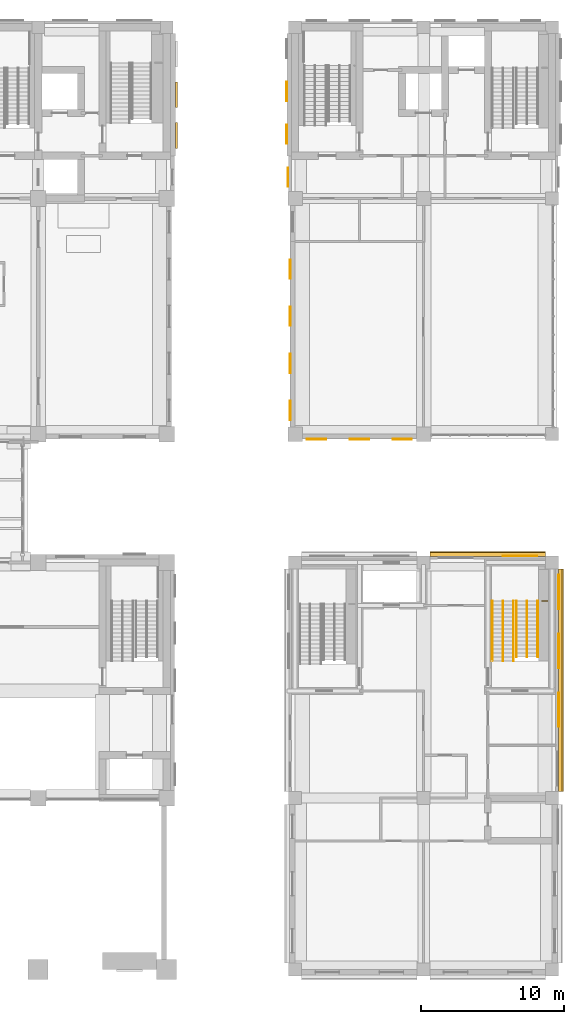
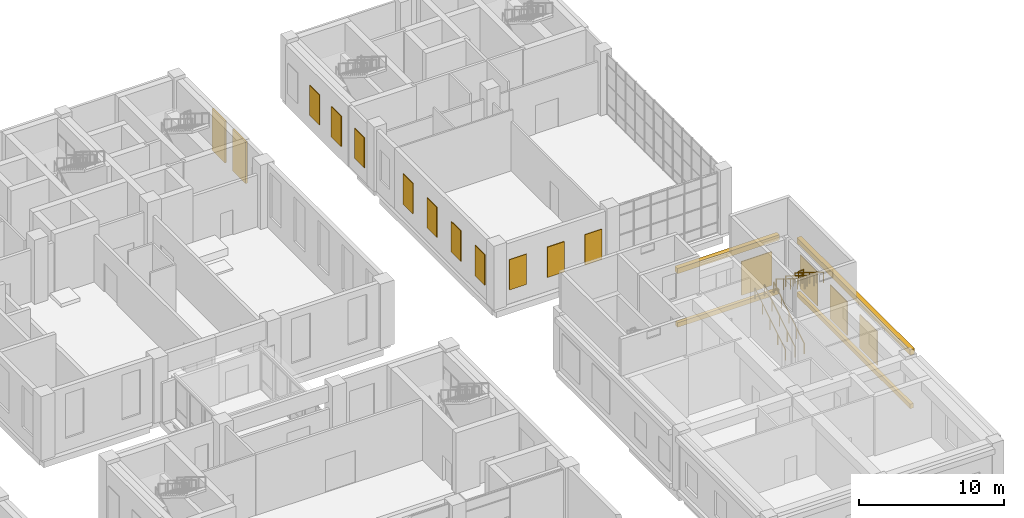
# One storey, part 49 of 52: 20 coverings, 7 railings.
"""IFC4 building model written with IfcOpenShell, lengths in metres."""

from ifc_helpers import new_model, si_unit, direction, frame, origin, origin_2d, place, context, subcontext, project, spatial, rectangle, circle, extrude, material, layer, layer_set, type_object, element, save


model = new_model("IFC4")

# Units and contexts
model_context = context("Model", 3, precision=1e-05, world=origin(), true_north=direction((0.0, 1.0)))
body_context = subcontext(model_context, "Body", "Model", "MODEL_VIEW")
ifc_project = project(units=[si_unit("LENGTHUNIT", "METRE"), si_unit("AREAUNIT", "SQUARE_METRE"), si_unit("VOLUMEUNIT", "CUBIC_METRE"), si_unit("PLANEANGLEUNIT", "RADIAN"), si_unit("MASSUNIT", "GRAM", prefix="KILO")], contexts=[model_context])

# Site, building, storey
site_placement = place(None, origin())
site = spatial("IfcSite", under=ifc_project, at=site_placement, CompositionType="ELEMENT")
building_placement = place(site_placement, origin())
building = spatial("IfcBuilding", under=site, at=building_placement, Name="Aurelan Courthouse", CompositionType="ELEMENT")
storey_placement = place(building_placement, frame((0.0, 0.0, 6.60009765625)))
storey = spatial("IfcBuildingStorey", under=building, at=storey_placement, Name="L01", CompositionType="ELEMENT", Elevation=6.60009765625)

# Coverings
ifc_material_1 = material(Name="Bronze sheet cladding")
ifc_layer_1 = layer(ifc_material_1, 0.06005859375)
ifc_layer_set_1 = layer_set([ifc_layer_1], Name="Bronze sheet cladding")
covering_type_1 = type_object("IfcCoveringType", Name="Law Library blind bay 1350 x 2550", PredefinedType="CLADDING", material=ifc_layer_set_1)
for number, where, z_axis, x_axis, name in (
    (1, (73.5, 37.14990234375, 1.19970703125), (0.0, 0.0, 1.0), (1.0, 0.0, 0.0), "Blind bay BB-V3-L01-001"),
    (2, (76.5, 37.14990234375, 1.19970703125), (0.0, 0.0, 1.0), (1.0, 0.0, 0.0), "Blind bay BB-V3-L01-002"),
    (3, (79.5, 37.14990234375, 1.19970703125), (0.0, 0.0, 1.0), (1.0, 0.0, 0.0), "Blind bay BB-V3-L01-003"),
):
    element("IfcCovering", number, at=place(storey_placement, frame(where, z_axis=z_axis, x_axis=x_axis)), inside=storey, type_object=covering_type_1, Name=name, PredefinedType="CLADDING", context=body_context, shape_type="SweptSolid", body=[
        extrude(rectangle(XDim=1.35009765625, YDim=0.06005859375, at=origin_2d()), origin(), (0.0, 0.0, 1.0), 2.550048828125),
    ])
for number, where, z_axis, x_axis, name in (
    (4, (71.64990234375, 39.14990234375, 1.19970703125), (0.0, 0.0, 1.0), (1.0, 0.0, 0.0), "Blind bay BB-V3-L01-014"),
    (5, (71.64990234375, 42.449951171875, 1.19970703125), (0.0, 0.0, 1.0), (1.0, 0.0, 0.0), "Blind bay BB-V3-L01-015"),
    (6, (71.64990234375, 45.75, 1.19970703125), (0.0, 0.0, 1.0), (1.0, 0.0, 0.0), "Blind bay BB-V3-L01-016"),
    (7, (71.64990234375, 49.050048828125, 1.19970703125), (0.0, 0.0, 1.0), (1.0, 0.0, 0.0), "Blind bay BB-V3-L01-017"),
    (8, (71.5, 55.5, 1.19970703125), (0.0, 0.0, 1.0), (1.0, 0.0, 0.0), "Blind bay BB-V3-L01-018"),
    (9, (71.39990234375, 58.5, 1.19970703125), (0.0, 0.0, 1.0), (1.0, 0.0, 0.0), "Blind bay BB-V3-L01-019"),
    (10, (71.39990234375, 61.5, 1.19970703125), (0.0, 0.0, 1.0), (1.0, 0.0, 0.0), "Blind bay BB-V3-L01-020"),
):
    element("IfcCovering", number, at=place(storey_placement, frame(where, z_axis=z_axis, x_axis=x_axis)), inside=storey, type_object=covering_type_1, Name=name, PredefinedType="CLADDING", context=body_context, shape_type="SweptSolid", body=[
        extrude(rectangle(XDim=0.06005859375, YDim=1.35009765625, at=origin_2d()), origin(), (0.0, 0.0, 1.0), 2.550048828125),
    ])
ifc_layer_2 = layer(ifc_material_1, 0.06005859375)
ifc_layer_set_2 = layer_set([ifc_layer_2], Name="Bronze sheet cladding")
covering_type_2 = type_object("IfcCoveringType", Name="Public Hall and Registry blind bay 2400 x 2850", PredefinedType="CLADDING", material=ifc_layer_set_2)
covering_1_placement = place(storey_placement, frame((87.75, 28.9599609375, 0.89990234375), z_axis=(0.0, 0.0, 1.0), x_axis=(1.0, 0.0, 0.0)))
element("IfcCovering", 11, at=covering_1_placement, inside=storey, type_object=covering_type_2, Name="Blind bay BB-V4-L01-003", PredefinedType="CLADDING", context=body_context, shape_type="SweptSolid", body=[
    extrude(rectangle(XDim=2.39990234375, YDim=0.06005859375, at=origin_2d()), origin(), (0.0, 0.0, 1.0), 2.85009765625),
])
for number, where, z_axis, x_axis, name in (
    (12, (90.4599609375, 18.1875, 0.89990234375), (0.0, 0.0, 1.0), (1.0, 0.0, 0.0), "Blind bay BB-V4-L01-005"),
    (13, (90.4599609375, 22.3125, 0.89990234375), (0.0, 0.0, 1.0), (1.0, 0.0, 0.0), "Blind bay BB-V4-L01-006"),
    (14, (90.4599609375, 26.4375, 0.89990234375), (0.0, 0.0, 1.0), (1.0, 0.0, 0.0), "Blind bay BB-V4-L01-007"),
):
    element("IfcCovering", number, at=place(storey_placement, frame(where, z_axis=z_axis, x_axis=x_axis)), inside=storey, type_object=covering_type_2, Name=name, PredefinedType="CLADDING", context=body_context, shape_type="SweptSolid", body=[
        extrude(rectangle(XDim=0.06005859375, YDim=2.39990234375, at=origin_2d()), origin(), (0.0, 0.0, 1.0), 2.85009765625),
    ])
ifc_material_2 = material(Name="Limestone cladding", Category="masonry")
covering_type_3 = type_object("IfcCoveringType", Name="Public Hall and Registry cornice 450 x 360", PredefinedType="CLADDING", material=ifc_material_2)
covering_2_placement = place(storey_placement, frame((90.610107421875, 20.25, 4.501953125), z_axis=(0.0, 0.0, 1.0), x_axis=(1.0, 0.0, 0.0)))
element("IfcCovering", 15, at=covering_2_placement, inside=storey, type_object=covering_type_3, Name="Cornice CRN-V4-006", PredefinedType="CLADDING", context=body_context, shape_type="SweptSolid", body=[
    extrude(rectangle(XDim=0.360107421875, YDim=15.60009765625, at=origin_2d()), origin(), (0.0, 0.0, 1.0), 0.449951171875),
])
covering_3_placement = place(storey_placement, frame((85.5, 29.110107421875, 4.501953125), z_axis=(0.0, 0.0, 1.0), x_axis=(1.0, 0.0, 0.0)))
element("IfcCovering", 16, at=covering_3_placement, inside=storey, type_object=covering_type_3, Name="Cornice CRN-V4-008", PredefinedType="CLADDING", context=body_context, shape_type="SweptSolid", body=[
    extrude(rectangle(XDim=8.10009765625, YDim=0.360107421875, at=origin_2d()), origin(), (0.0, 0.0, 1.0), 0.449951171875),
])
covering_type_4 = type_object("IfcCoveringType", Name="Public Hall and Registry string course 380 x 260", PredefinedType="CLADDING", material=ifc_material_2)
covering_4_placement = place(storey_placement, frame((90.56005859375, 20.25, 0.0), z_axis=(0.0, 0.0, 1.0), x_axis=(1.0, 0.0, 0.0)))
element("IfcCovering", 17, at=covering_4_placement, inside=storey, type_object=covering_type_4, Name="String course SC-V4-006", PredefinedType="CLADDING", context=body_context, shape_type="SweptSolid", body=[
    extrude(rectangle(XDim=0.260009765625, YDim=15.60009765625, at=origin_2d()), origin(), (0.0, 0.0, 1.0), 0.3798828125),
])
covering_5_placement = place(storey_placement, frame((85.5, 29.06005859375, 0.0), z_axis=(0.0, 0.0, 1.0), x_axis=(1.0, 0.0, 0.0)))
element("IfcCovering", 18, at=covering_5_placement, inside=storey, type_object=covering_type_4, Name="String course SC-V4-008", PredefinedType="CLADDING", context=body_context, shape_type="SweptSolid", body=[
    extrude(rectangle(XDim=8.10009765625, YDim=0.260009765625, at=origin_2d()), origin(), (0.0, 0.0, 1.0), 0.3798828125),
])
ifc_layer_3 = layer(ifc_material_1, 0.14990234375)
ifc_layer_set_3 = layer_set([ifc_layer_3], Name="Bronze sheet cladding")
covering_type_5 = type_object("IfcCoveringType", Name="Relief panel 1800 x 3500 x 150", PredefinedType="CLADDING", material=ifc_layer_set_3)
for number, where, z_axis, x_axis, name in (
    (19, (63.675048828125, 58.425048828125, 1.0), (0.0, 0.0, 1.0), (1.0, 0.0, 0.0), "Relief panel RP-V2-009"),
    (20, (63.675048828125, 61.27490234375, 1.0), (0.0, 0.0, 1.0), (1.0, 0.0, 0.0), "Relief panel RP-V2-010"),
):
    element("IfcCovering", number, at=place(storey_placement, frame(where, z_axis=z_axis, x_axis=x_axis)), inside=storey, type_object=covering_type_5, Name=name, PredefinedType="CLADDING", context=body_context, shape_type="SweptSolid", body=[
        extrude(rectangle(XDim=0.14990234375, YDim=1.800048828125, at=origin_2d()), origin(), (0.0, 0.0, 1.0), 3.5),
    ])

# Railings
ifc_material_3 = material(Name="Steel S355", Category="steel")
railing_type_1 = type_object("IfcRailingType", Name="Stair guard 1100", PredefinedType="GUARDRAIL", material=ifc_material_3)
railing_placement = place(storey_placement, frame((89.669921875, 25.81005859375, 2.787109375)))
element("IfcRailing", 21, at=railing_placement, inside=storey, type_object=railing_type_1, Name="Guard ST-4B-L01-GL1", PredefinedType="GUARDRAIL", context=body_context, shape_type="SweptSolid", body=[
    extrude(circle(Radius=0.02392578125, at=origin_2d()), frame((0.0, 0.0, 1.076171875), z_axis=(-1.0, 0.0, 0.0), x_axis=(0.0, -1.0, 0.0)), (0.0, 0.0, 1.0), 0.389892578125),
    extrude(circle(Radius=0.02099609375, at=origin_2d()), origin(), (0.0, 0.0, 1.0), 1.052001953125),
    extrude(circle(Radius=0.02099609375, at=origin_2d()), frame((-0.389892578125, 0.0, 0.0)), (0.0, 0.0, 1.0), 1.052001953125),
])
railing_type_2 = type_object("IfcRailingType", Name="Stair handrail 900", PredefinedType="HANDRAIL", material=ifc_material_3)
for number, where, name in (
    (22, (85.800048828125, 21.610107421875, 0.174072265625), "Handrail ST-4B-L01-H1"),
    (23, (87.300048828125, 21.610107421875, 0.174072265625), "Handrail ST-4B-L01-H2"),
    (24, (86.550048828125, 21.610107421875, 0.174072265625), "Handrail ST-4B-L01-H3"),
):
    element("IfcRailing", number, at=place(storey_placement, frame(where)), inside=storey, type_object=railing_type_2, Name=name, PredefinedType="HANDRAIL", context=body_context, shape_type="SweptSolid", body=[
        extrude(circle(Radius=0.02392578125, at=origin_2d()), frame((0.0, 0.0, 0.8759765625), z_axis=(0.0, 0.849080710111, 0.528263142494), x_axis=(-1.0, 0.0, 0.0)), (0.0, 0.0, 1.0), 4.946533203125),
        extrude(circle(Radius=0.02099609375, at=origin_2d()), origin(), (0.0, 0.0, 1.0), 0.851806640625),
        extrude(circle(Radius=0.02099609375, at=origin_2d()), frame((0.0, 1.050048828125, 0.6533203125)), (0.0, 0.0, 1.0), 0.851806640625),
        extrude(circle(Radius=0.02099609375, at=origin_2d()), frame((0.0, 2.10009765625, 1.306640625)), (0.0, 0.0, 1.0), 0.851806640625),
        extrude(circle(Radius=0.02099609375, at=origin_2d()), frame((0.0, 3.14990234375, 1.959716796875)), (0.0, 0.0, 1.0), 0.851806640625),
        extrude(circle(Radius=0.02099609375, at=origin_2d()), frame((0.0, 4.199951171875, 2.613037109375)), (0.0, 0.0, 1.0), 0.851806640625),
    ])
for number, where, name in (
    (25, (87.5, 25.81005859375, 2.961181640625), "Handrail ST-4B-L01-H4"),
    (26, (89.0, 25.81005859375, 2.961181640625), "Handrail ST-4B-L01-H5"),
    (27, (88.25, 25.81005859375, 2.961181640625), "Handrail ST-4B-L01-H6"),
):
    element("IfcRailing", number, at=place(storey_placement, frame(where)), inside=storey, type_object=railing_type_2, Name=name, PredefinedType="HANDRAIL", context=body_context, shape_type="SweptSolid", body=[
        extrude(circle(Radius=0.02392578125, at=origin_2d()), frame((0.0, 0.0, 0.8759765625), z_axis=(0.0, -0.849104567483, 0.528224794457), x_axis=(1.0, 0.0, 0.0)), (0.0, 0.0, 1.0), 4.616943359375),
        extrude(circle(Radius=0.02099609375, at=origin_2d()), origin(), (0.0, 0.0, 1.0), 0.851806640625),
        extrude(circle(Radius=0.02099609375, at=origin_2d()), frame((0.0, -0.97998046875, 0.609619140625)), (0.0, 0.0, 1.0), 0.851806640625),
        extrude(circle(Radius=0.02099609375, at=origin_2d()), frame((0.0, -1.9599609375, 1.21923828125)), (0.0, 0.0, 1.0), 0.851806640625),
        extrude(circle(Radius=0.02099609375, at=origin_2d()), frame((0.0, -2.940185546875, 1.8291015625)), (0.0, 0.0, 1.0), 0.851806640625),
        extrude(circle(Radius=0.02099609375, at=origin_2d()), frame((0.0, -3.920166015625, 2.438720703125)), (0.0, 0.0, 1.0), 0.851806640625),
    ])

save(model, "model.ifc")
